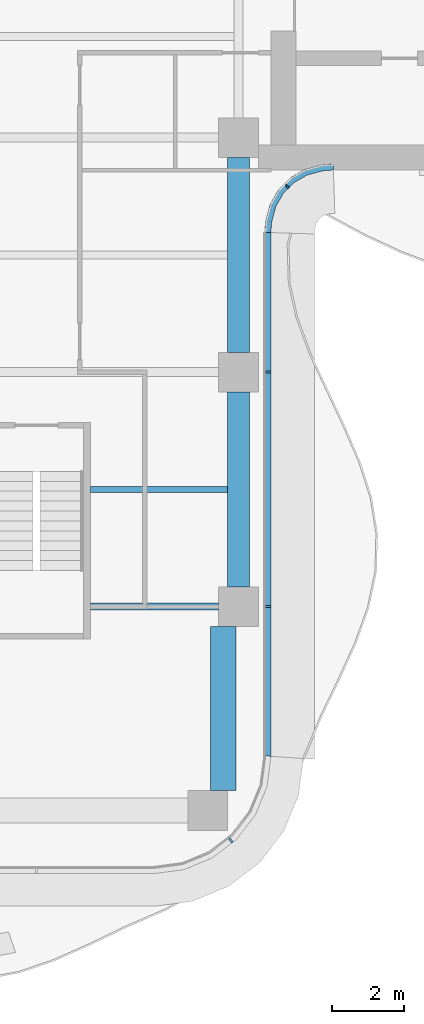
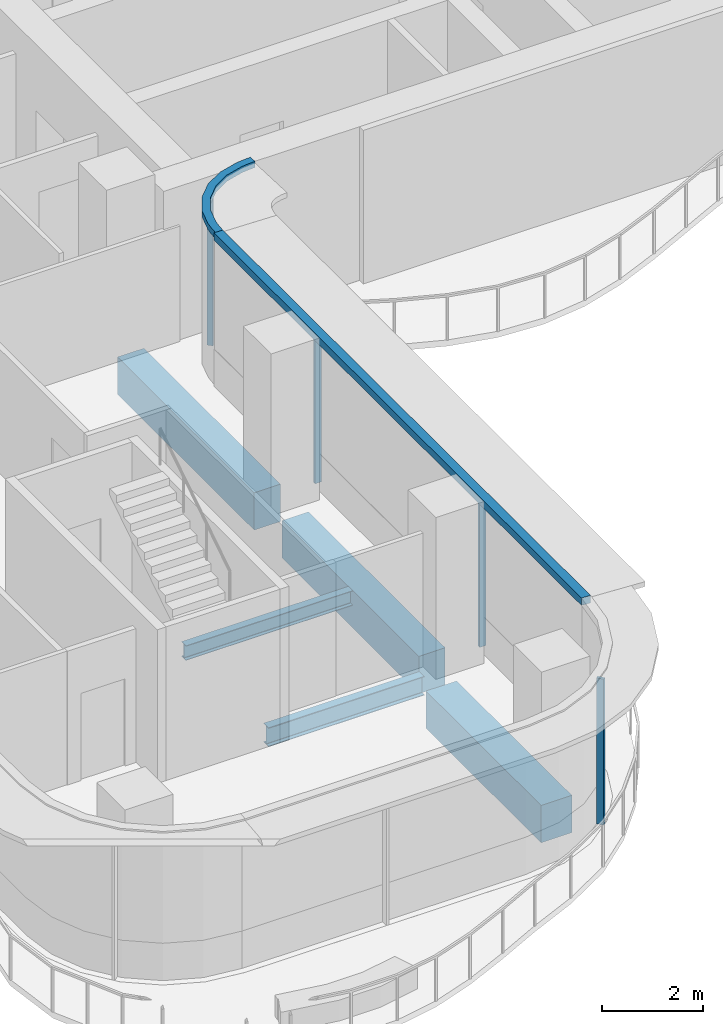
# One storey, part 5 of 18: 6 members, 5 beams, 3 elements without a shape of their own.
"""IFC4 building model written with IfcOpenShell, lengths in metres."""

from ifc_helpers import new_model, si_unit, direction, frame, origin, origin_2d, place, context, subcontext, project, spatial, polyline, rectangle, i_section, outline, extrude, source, transform, mapped, material, layer, layer_set, material_profile, profile_set, type_object, element, aggregate, save


model = new_model("IFC4")

# Units and contexts
model_context = context("Model", 3, precision=1e-05, world=origin(), true_north=direction((0.0, 1.0)))
body_context = subcontext(model_context, "Body", "Model", "MODEL_VIEW")
ifc_project = project(units=[si_unit("LENGTHUNIT", "METRE"), si_unit("AREAUNIT", "SQUARE_METRE"), si_unit("VOLUMEUNIT", "CUBIC_METRE"), si_unit("PLANEANGLEUNIT", "RADIAN"), si_unit("MASSUNIT", "GRAM", prefix="KILO")], contexts=[model_context])

# Site, building, storey
site_placement = place(None, origin())
site = spatial("IfcSite", under=ifc_project, at=site_placement, CompositionType="ELEMENT")
building_placement = place(site_placement, origin())
building = spatial("IfcBuilding", under=site, at=building_placement, Name="Trellis Farm Tower", CompositionType="ELEMENT")
storey_placement = place(building_placement, frame((0.0, 0.0, 224.60009765625)))
storey = spatial("IfcBuildingStorey", under=building, at=storey_placement, Name="L49", CompositionType="ELEMENT", Elevation=224.60009765625)

# Beams
ifc_material_1 = material(Name="Steel S355", Category="steel")
ifc_material_profile_1 = material_profile(ifc_material_1, i_section(OverallWidth=0.17138671875, OverallDepth=0.35498046875, WebThickness=0.00732421875, FlangeThickness=0.011474609375, FilletRadius=0.01025390625, at=origin_2d()), Name="UB 356x171x51")
ifc_profile_set_1 = profile_set([ifc_material_profile_1], Name="Steel S355")
beam_type_1 = type_object("IfcBeamType", Name="UB 356x171x51 joist", PredefinedType="JOIST", material=ifc_profile_set_1)
shared_shape_1 = source(origin(), body_context, "Body", "SweptSolid", [
    extrude(i_section(OverallWidth=0.17138671875, OverallDepth=0.35498046875, WebThickness=0.00732421875, FlangeThickness=0.011474609375, FilletRadius=0.01025390625, at=origin_2d()), origin(), (0.0, 0.0, 1.0), 3.800048828125),
])
beam_1_placement = place(storey_placement, frame((1.5, -15.35009765625, -0.377685546875), z_axis=(1.0, 0.0, 0.0), x_axis=(0.0, 1.0, 0.0)))
element("IfcBeam", 1, at=beam_1_placement, inside=storey, type_object=beam_type_1, Name="Floor beam", PredefinedType="JOIST", context=body_context, shape_type="MappedRepresentation", body=[
    mapped(shared_shape_1, transform((0.0, 0.0, 0.0))),
])
ifc_material_profile_2 = material_profile(ifc_material_1, i_section(OverallWidth=0.1904296875, OverallDepth=0.45703125, WebThickness=0.009033203125, FlangeThickness=0.014404296875, FilletRadius=0.01025390625, at=origin_2d()), Name="UB 457x191x74")
ifc_profile_set_2 = profile_set([ifc_material_profile_2], Name="Steel S355")
beam_type_2 = type_object("IfcBeamType", Name="UB 457x191x74", PredefinedType="BEAM", material=ifc_profile_set_2)
shared_shape_2 = source(origin(), body_context, "Body", "SweptSolid", [
    extrude(i_section(OverallWidth=0.1904296875, OverallDepth=0.45703125, WebThickness=0.009033203125, FlangeThickness=0.014404296875, FilletRadius=0.01025390625, at=origin_2d()), origin(), (0.0, 0.0, 1.0), 3.550048828125),
])
beam_2_placement = place(storey_placement, frame((1.5, -18.60009765625, -0.4287109375), z_axis=(1.0, 0.0, 0.0), x_axis=(0.0, 1.0, 0.0)))
element("IfcBeam", 2, at=beam_2_placement, inside=storey, type_object=beam_type_2, Name="Girder", PredefinedType="BEAM", context=body_context, shape_type="MappedRepresentation", body=[
    mapped(shared_shape_2, transform((0.0, 0.0, 0.0))),
])
ifc_material_2 = material(Name="Concrete C60/75", Category="concrete")
ifc_material_profile_3 = material_profile(ifc_material_2, rectangle(XDim=0.60009765625, YDim=0.89990234375, at=origin_2d()), Name="RC spandrel beam 600x900 C60/75")
ifc_profile_set_3 = profile_set([ifc_material_profile_3], Name="Concrete C60/75")
beam_type_3 = type_object("IfcBeamType", Name="RC spandrel beam 600x900 C60/75", PredefinedType="SPANDREL", material=ifc_profile_set_3)
shared_shape_3 = source(origin(), body_context, "Body", "SweptSolid", [
    extrude(rectangle(XDim=0.60009765625, YDim=0.89990234375, at=origin_2d()), origin(), (0.0, 0.0, 1.0), 5.400146484375),
])
for number, where, z_axis, x_axis, name in (
    (3, (5.60009765625, -18.050048828125, -0.650146484375), (0.0, 1.0, 0.0), (-1.0, 0.0, 0.0), "Girder"),
    (4, (5.60009765625, -11.550048828125, -0.650146484375), (0.0, 1.0, 0.0), (-1.0, 0.0, 0.0), "Girder"),
):
    element("IfcBeam", number, at=place(storey_placement, frame(where, z_axis=z_axis, x_axis=x_axis)), inside=storey, type_object=beam_type_3, Name=name, PredefinedType="SPANDREL", context=body_context, shape_type="MappedRepresentation", body=[
        mapped(shared_shape_3, transform((0.0, 0.0, 0.0))),
    ])
ifc_material_profile_4 = material_profile(ifc_material_2, rectangle(XDim=0.699951171875, YDim=0.89990234375, at=origin_2d()), Name="RC spandrel beam 700x900 C60/75")
ifc_profile_set_4 = profile_set([ifc_material_profile_4], Name="Concrete C60/75")
beam_type_4 = type_object("IfcBeamType", Name="RC spandrel beam 700x900 C60/75", PredefinedType="SPANDREL", material=ifc_profile_set_4)
shared_shape_4 = source(origin(), body_context, "Body", "SweptSolid", [
    extrude(rectangle(XDim=0.699951171875, YDim=0.89990234375, at=origin_2d()), origin(), (0.0, 0.0, 1.0), 4.550048828125),
])
beam_3_placement = place(storey_placement, frame((5.175048828125, -23.699951171875, -0.650146484375), z_axis=(0.0, 1.0, 0.0), x_axis=(-1.0, 0.0, 0.0)))
element("IfcBeam", 5, at=beam_3_placement, inside=storey, type_object=beam_type_4, Name="Girder", PredefinedType="SPANDREL", context=body_context, shape_type="MappedRepresentation", body=[
    mapped(shared_shape_4, transform((0.0, 0.0, 0.0))),
])

# Curtain wall, member
ifc_material_3 = material(Name="Aluminium and glass curtain wall", Category="aluminium")
ifc_layer_1 = layer(ifc_material_3, 0.18994140625)
ifc_layer_set_1 = layer_set([ifc_layer_1], Name="RIBBON CURTAIN WALL CW1")
curtain_wall_type_1 = type_object("IfcCurtainWallType", Name="RIBBON CURTAIN WALL CW1", PredefinedType="NOTDEFINED", material=ifc_layer_set_1)
placement = place(storey_placement, origin())
curtain_wall_1 = element("IfcCurtainWall", 6, at=placement, inside=storey, type_object=curtain_wall_type_1, Name="CW1 004", PredefinedType="NOTDEFINED")
ifc_material_4 = material(Name="Aluminium extrusion 6063-T6", Category="aluminium")
ifc_layer_2 = layer(ifc_material_4, 0.199951171875)
ifc_layer_set_2 = layer_set([ifc_layer_2], Name="Aluminium extrusion 6063-T6")
member_type_1 = type_object("IfcMemberType", Name="CW1 TRANSOM 200x180", PredefinedType="USERDEFINED", material=ifc_layer_set_2)
shared_shape_5 = source(origin(), body_context, "Body", "SweptSolid", [
    extrude(outline(polyline([(6.5, -22.75), (6.5, -8.2314453125), (6.300048828125, -8.224853515625), (6.300048828125, -22.73681640625), (6.5, -22.75)])), origin(), (0.0, 0.0, 1.0), 0.179931640625),
])
member_1_placement = place(storey_placement, frame((0.0, 0.0, 3.52001953125)))
member_1 = element("IfcMember", 7, at=member_1_placement, type_object=member_type_1, Name="TR1 004", ObjectType="TRANSOM", PredefinedType="USERDEFINED", context=body_context, shape_type="MappedRepresentation", body=[
    mapped(shared_shape_5, transform((0.0, 0.0, 0.0))),
])

curtain_wall_2 = element("IfcCurtainWall", 8, at=placement, inside=storey, type_object=curtain_wall_type_1, Name="CW1 003", PredefinedType="NOTDEFINED")
ifc_material_profile_5 = material_profile(ifc_material_4, rectangle(XDim=0.06005859375, YDim=0.14990234375, at=origin_2d()), Name="MULLION 60x150")
ifc_profile_set_5 = profile_set([ifc_material_profile_5], Name="Aluminium extrusion 6063-T6")
member_type_2 = type_object("IfcMemberType", Name="CW1 MULLION 60x150", PredefinedType="MULLION", material=ifc_profile_set_5)
shared_shape_6 = source(origin(), body_context, "Body", "SweptSolid", [
    extrude(rectangle(XDim=0.06005859375, YDim=0.14990234375, at=origin_2d()), origin(), (0.0, 0.0, 1.0), 3.52001953125),
])
member_2_placement = place(storey_placement, frame((5.385498046875, -25.078369140625, 0.0), z_axis=(0.0, 0.0, 1.0), x_axis=(0.793353340291, 0.608761429009, 0.0)))
member_2 = element("IfcMember", 9, at=member_2_placement, type_object=member_type_2, Name="MU1 003-02", PredefinedType="MULLION", context=body_context, shape_type="MappedRepresentation", body=[
    mapped(shared_shape_6, transform((0.0, 0.0, 0.0))),
])
aggregate(curtain_wall_2, [member_2])

# Member
member_3_placement = place(storey_placement, frame((6.425048828125, -18.60009765625, 0.0), z_axis=(0.0, 0.0, 1.0), x_axis=(0.0, 1.0, 0.0)))
member_3 = element("IfcMember", 10, at=member_3_placement, type_object=member_type_2, Name="MU1 004-01", PredefinedType="MULLION", context=body_context, shape_type="MappedRepresentation", body=[
    mapped(shared_shape_6, transform((0.0, 0.0, 0.0))),
])

member_4_placement = place(storey_placement, frame((6.425048828125, -12.10009765625, 0.0), z_axis=(0.0, 0.0, 1.0), x_axis=(0.0, 1.0, 0.0)))
member_4 = element("IfcMember", 11, at=member_4_placement, type_object=member_type_2, Name="MU1 004-02", PredefinedType="MULLION", context=body_context, shape_type="MappedRepresentation", body=[
    mapped(shared_shape_6, transform((0.0, 0.0, 0.0))),
])

aggregate(curtain_wall_1, [member_3, member_4, member_1])

# Curtain wall, members
ifc_layer_3 = layer(ifc_material_3, 0.166015625)
ifc_layer_set_3 = layer_set([ifc_layer_3], Name="WINTER GARDEN CURTAIN WALL CW3")
curtain_wall_type_2 = type_object("IfcCurtainWallType", Name="WINTER GARDEN CURTAIN WALL CW3", PredefinedType="NOTDEFINED", material=ifc_layer_set_3)
curtain_wall_3 = element("IfcCurtainWall", 12, at=placement, inside=storey, type_object=curtain_wall_type_2, Name="CW3 002", PredefinedType="NOTDEFINED")
ifc_material_profile_6 = material_profile(ifc_material_4, rectangle(XDim=0.050048828125, YDim=0.1201171875, at=origin_2d()), Name="MULLION 50x120")
ifc_profile_set_6 = profile_set([ifc_material_profile_6], Name="Aluminium extrusion 6063-T6")
member_type_3 = type_object("IfcMemberType", Name="CW3 MULLION 50x120", PredefinedType="MULLION", material=ifc_profile_set_6)
shared_shape_7 = source(origin(), body_context, "Body", "SweptSolid", [
    extrude(rectangle(XDim=0.050048828125, YDim=0.1201171875, at=origin_2d()), origin(), (0.0, 0.0, 1.0), 3.5498046875),
])
member_5_placement = place(storey_placement, frame((6.953125, -6.953125, 0.0), z_axis=(0.0, 0.0, 1.0), x_axis=(0.707106781187, 0.707106781187, 0.0)))
member_5 = element("IfcMember", 13, at=member_5_placement, type_object=member_type_3, Name="MU3 002-01", PredefinedType="MULLION", context=body_context, shape_type="MappedRepresentation", body=[
    mapped(shared_shape_7, transform((0.0, 0.0, 0.0))),
])
ifc_layer_4 = layer(ifc_material_4, 0.169921875)
ifc_layer_set_4 = layer_set([ifc_layer_4], Name="Aluminium extrusion 6063-T6")
member_type_4 = type_object("IfcMemberType", Name="CW3 TRANSOM 170x150", PredefinedType="USERDEFINED", material=ifc_layer_set_4)
shared_shape_8 = source(origin(), body_context, "Body", "SweptSolid", [
    extrude(outline(polyline([(6.5, -8.2314453125), (6.513916015625, -8.01953125), (6.527587890625, -7.91552734375), (6.63671875, -7.508544921875), (6.846923828125, -7.144287109375), (7.144287109375, -6.846923828125), (7.508544921875, -6.63671875), (7.91552734375, -6.527587890625), (8.01953125, -6.513916015625), (8.2314453125, -6.5), (8.225830078125, -6.330078125), (8.0029296875, -6.3447265625), (7.88232421875, -6.360595703125), (7.44287109375, -6.478271484375), (7.0400390625, -6.7109375), (6.7109375, -7.0400390625), (6.478271484375, -7.44287109375), (6.360595703125, -7.88232421875), (6.3447265625, -8.0029296875), (6.330078125, -8.225830078125), (6.5, -8.2314453125)])), origin(), (0.0, 0.0, 1.0), 0.150146484375),
])
member_6_placement = place(storey_placement, frame((0.0, 0.0, 3.5498046875)))
member_6 = element("IfcMember", 14, at=member_6_placement, type_object=member_type_4, Name="TR3 002", ObjectType="TRANSOM", PredefinedType="USERDEFINED", context=body_context, shape_type="MappedRepresentation", body=[
    mapped(shared_shape_8, transform((0.0, 0.0, 0.0))),
])
aggregate(curtain_wall_3, [member_5, member_6])

save(model, "model.ifc")
